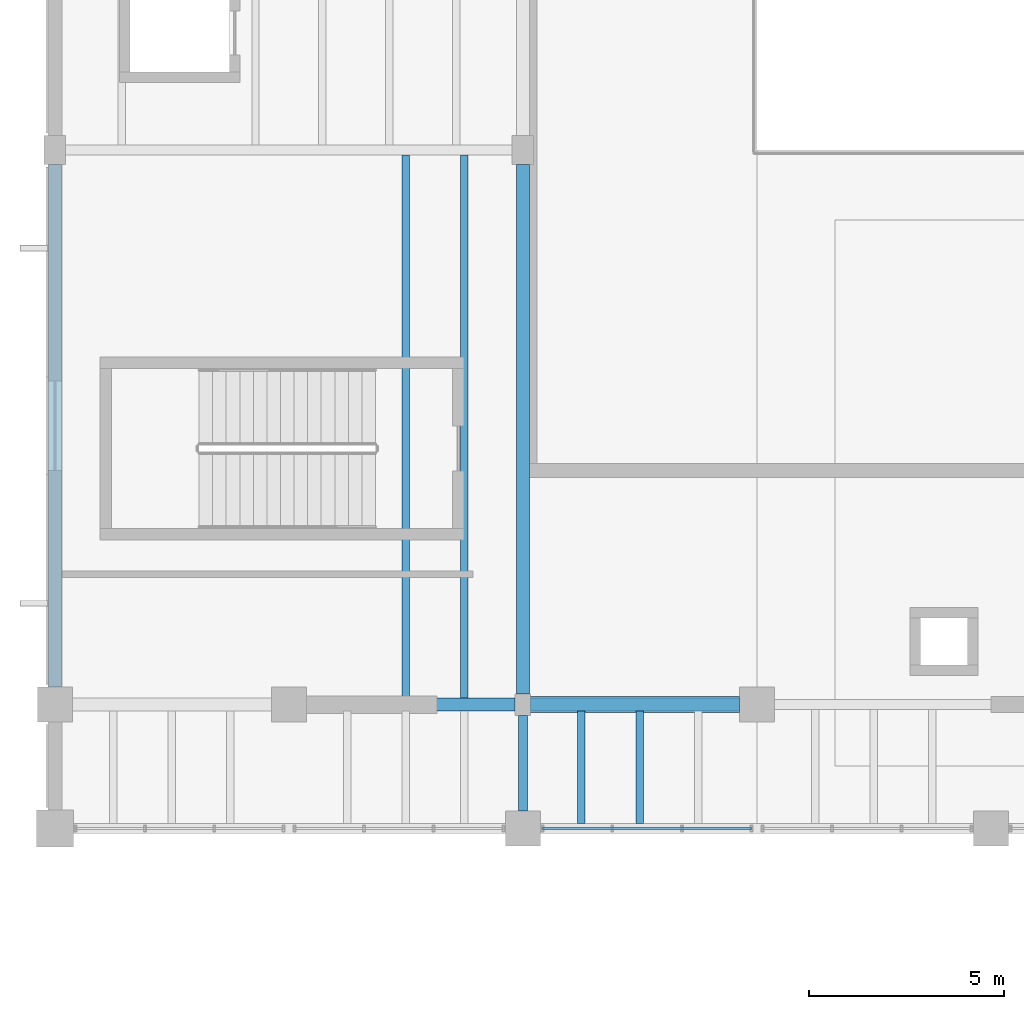
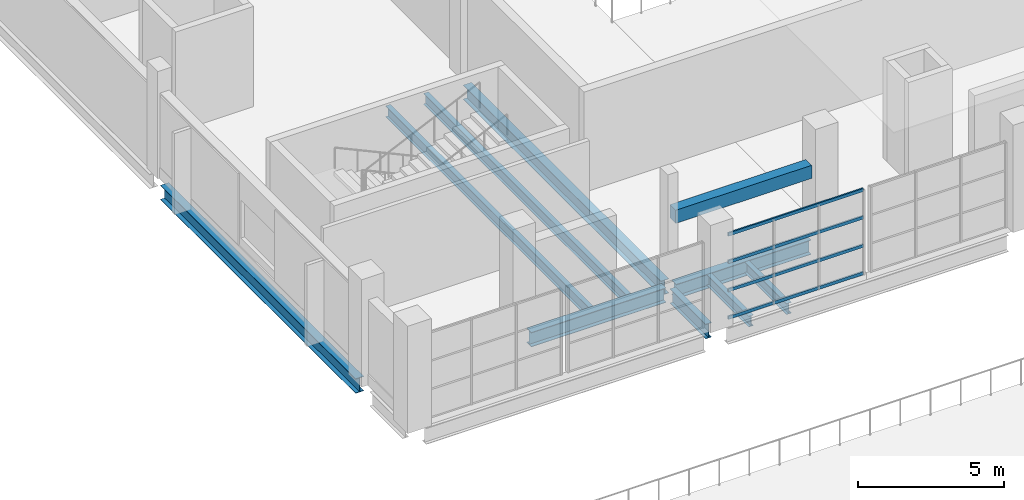
# One storey, part 37 of 78: 10 beams, 4 members, 1 element without a shape of its own.
"""IFC4 building model written with IfcOpenShell, lengths in metres."""

from ifc_helpers import new_model, si_unit, direction, frame, origin, origin_2d, place, context, subcontext, project, spatial, rectangle, hollow_rectangle, i_section, extrude, material, material_profile, profile_set, type_object, element, aggregate, save


model = new_model("IFC4")

# Units and contexts
model_context = context("Model", 3, precision=1e-05, world=origin(), true_north=direction((0.0, 1.0)))
body_context = subcontext(model_context, "Body", "Model", "MODEL_VIEW")
ifc_project = project(units=[si_unit("LENGTHUNIT", "METRE"), si_unit("AREAUNIT", "SQUARE_METRE"), si_unit("VOLUMEUNIT", "CUBIC_METRE"), si_unit("PLANEANGLEUNIT", "RADIAN"), si_unit("MASSUNIT", "GRAM", prefix="KILO")], contexts=[model_context])

# Site, building, storey
site_placement = place(None, origin())
site = spatial("IfcSite", under=ifc_project, at=site_placement, CompositionType="ELEMENT")
building_placement = place(site_placement, origin())
building = spatial("IfcBuilding", under=site, at=building_placement, Name="Kelmvaro Bay Concert Hall", CompositionType="ELEMENT")
storey_placement = place(building_placement, frame((0.0, 0.0, 9.300048828125)))
storey = spatial("IfcBuildingStorey", under=building, at=storey_placement, Name="L02", CompositionType="ELEMENT", Elevation=9.300048828125)

# Beams
ifc_material_1 = material(Name="Steel ASTM A992 Grade 50", Category="steel")
ifc_material_profile_1 = material_profile(ifc_material_1, i_section(OverallWidth=0.19189453125, OverallDepth=0.4619140625, WebThickness=0.010498046875, FlangeThickness=0.017578125, at=origin_2d()), Name="W18X60")
ifc_profile_set_1 = profile_set([ifc_material_profile_1], Name="Steel ASTM A992 Grade 50")
beam_type_1 = type_object("IfcBeamType", Name="Acoustic Box Floor Joist W18x60", PredefinedType="JOIST", material=ifc_profile_set_1)
for number, where, z_axis, x_axis, name in (
    (1, (9.0, 68.741943359375, -0.531005859375), (0.0, 1.0, 0.0), (-1.0, 0.0, 0.0), "L02 Floor Joist JST-L02-1234"),
    (2, (10.5, 68.741943359375, -0.531005859375), (0.0, 1.0, 0.0), (-1.0, 0.0, 0.0), "L02 Floor Joist JST-L02-1235"),
):
    element("IfcBeam", number, at=place(storey_placement, frame(where, z_axis=z_axis, x_axis=x_axis)), inside=storey, type_object=beam_type_1, Name=name, PredefinedType="JOIST", context=body_context, shape_type="SweptSolid", body=[
        extrude(i_section(OverallWidth=0.19189453125, OverallDepth=0.4619140625, WebThickness=0.010498046875, FlangeThickness=0.017578125, at=origin_2d()), origin(), (0.0, 0.0, 1.0), 13.93017578125),
    ])
ifc_material_2 = material(Name="Concrete C40/50", Category="concrete")
ifc_material_profile_2 = material_profile(ifc_material_2, rectangle(XDim=0.39990234375, YDim=0.550048828125, at=origin_2d()), Name="RC-LNT-400X550")
ifc_profile_set_2 = profile_set([ifc_material_profile_2], Name="Concrete C40/50")
beam_type_2 = type_object("IfcBeamType", Name="Acoustic Sound Lock Lintel RC400x550", PredefinedType="LINTEL", material=ifc_profile_set_2)
beam_1_placement = place(storey_placement, frame((12.14990234375, 68.580078125, 2.574951171875), z_axis=(1.0, 0.0, 0.0), x_axis=(0.0, 1.0, 0.0)))
element("IfcBeam", 3, at=beam_1_placement, inside=storey, type_object=beam_type_2, Name="L02 Acoustic Portal Lintel S1", PredefinedType="LINTEL", context=body_context, shape_type="SweptSolid", body=[
    extrude(rectangle(XDim=0.39990234375, YDim=0.550048828125, at=origin_2d()), origin(), (0.0, 0.0, 1.0), 5.400146484375),
])
ifc_material_3 = material(Name="Steel ASTM A992 Grade 50", Category="steel")
ifc_material_profile_3 = material_profile(ifc_material_3, i_section(OverallWidth=0.323974609375, OverallDepth=0.611083984375, WebThickness=0.0126953125, FlangeThickness=0.01904296875, at=origin_2d()), Name="W24X104")
ifc_profile_set_3 = profile_set([ifc_material_profile_3], Name="Steel ASTM A992 Grade 50")
beam_type_3 = type_object("IfcBeamType", Name="Foyer Frame Girder W24x104", PredefinedType="BEAM", material=ifc_profile_set_3)
for number, where, z_axis, x_axis, name in (
    (4, (6.449951171875, 68.580078125, -0.60546875), (1.0, 0.0, 0.0), (0.0, 1.0, 0.0), "L02 Girder BM-L02-EW-0757"),
    (5, (12.199951171875, 68.580078125, -0.60546875), (1.0, 0.0, 0.0), (0.0, 1.0, 0.0), "L02 Girder BM-L02-EW-0758"),
):
    element("IfcBeam", number, at=place(storey_placement, frame(where, z_axis=z_axis, x_axis=x_axis)), inside=storey, type_object=beam_type_3, Name=name, PredefinedType="BEAM", context=body_context, shape_type="SweptSolid", body=[
        extrude(i_section(OverallWidth=0.323974609375, OverallDepth=0.611083984375, WebThickness=0.0126953125, FlangeThickness=0.01904296875, at=origin_2d()), origin(), (0.0, 0.0, 1.0), 5.35009765625),
    ])
beam_2_placement = place(storey_placement, frame((0.0, 69.030029296875, -0.60546875), z_axis=(0.0, 1.0, 0.0), x_axis=(-1.0, 0.0, 0.0)))
element("IfcBeam", 6, at=beam_2_placement, inside=storey, type_object=beam_type_3, Name="L02 Girder BM-L02-NS-0801", PredefinedType="BEAM", context=body_context, shape_type="SweptSolid", body=[
    extrude(i_section(OverallWidth=0.323974609375, OverallDepth=0.611083984375, WebThickness=0.0126953125, FlangeThickness=0.01904296875, at=origin_2d()), origin(), (0.0, 0.0, 1.0), 13.39501953125),
])
beam_3_placement = place(storey_placement, frame((12.0, 68.85498046875, -0.60546875), z_axis=(0.0, 1.0, 0.0), x_axis=(-1.0, 0.0, 0.0)))
element("IfcBeam", 7, at=beam_3_placement, inside=storey, type_object=beam_type_3, Name="L02 Girder BM-L02-NS-0811", PredefinedType="BEAM", context=body_context, shape_type="SweptSolid", body=[
    extrude(i_section(OverallWidth=0.323974609375, OverallDepth=0.611083984375, WebThickness=0.0126953125, FlangeThickness=0.01904296875, at=origin_2d()), origin(), (0.0, 0.0, 1.0), 13.570068359375),
])

# Curtain wall, members
ifc_material_4 = material(Name="Anodised Aluminium and Low-E Insulated Glazing", Category="aluminium")
curtain_wall_type = type_object("IfcCurtainWallType", Name="Symphony South Gallery Curtain Wall 3920", PredefinedType="USERDEFINED", material=ifc_material_4)
curtain_wall_placement = place(storey_placement, origin())
curtain_wall = element("IfcCurtainWall", 8, at=curtain_wall_placement, inside=storey, type_object=curtain_wall_type, Name="Unitised Curtain Wall CW-L02-012", ObjectType="UNITISED GLAZING", PredefinedType="USERDEFINED")
ifc_material_5 = material(Name="Anodised Extruded Aluminium 6063-T6", Category="aluminium")
ifc_material_profile_4 = material_profile(ifc_material_5, hollow_rectangle(XDim=0.06005859375, YDim=0.135009765625, WallThickness=0.00390625, at=origin_2d()), Name="ALU-TRN-135X60")
ifc_profile_set_4 = profile_set([ifc_material_profile_4], Name="Anodised Extruded Aluminium 6063-T6")
member_type = type_object("IfcMemberType", Name="Gallery Transom ALU 135x60", PredefinedType="USERDEFINED", material=ifc_profile_set_4)
member_1_placement = place(storey_placement, frame((17.860107421875, 65.39990234375, 0.0400390625), z_axis=(-1.0, 0.0, 0.0), x_axis=(0.0, -1.0, 0.0)))
member_1 = element("IfcMember", 9, at=member_1_placement, type_object=member_type, Name="CW-L02-012 Transom 01", ObjectType="TRANSOM", PredefinedType="USERDEFINED", context=body_context, shape_type="SweptSolid", body=[
    extrude(hollow_rectangle(XDim=0.06005859375, YDim=0.135009765625, WallThickness=0.00390625, at=origin_2d()), origin(), (0.0, 0.0, 1.0), 5.355224609375),
])
member_2_placement = place(storey_placement, frame((17.860107421875, 65.39990234375, 1.189697265625), z_axis=(-1.0, 0.0, 0.0), x_axis=(0.0, -1.0, 0.0)))
member_2 = element("IfcMember", 10, at=member_2_placement, type_object=member_type, Name="CW-L02-012 Transom 02", ObjectType="TRANSOM", PredefinedType="USERDEFINED", context=body_context, shape_type="SweptSolid", body=[
    extrude(hollow_rectangle(XDim=0.06005859375, YDim=0.135009765625, WallThickness=0.00390625, at=origin_2d()), origin(), (0.0, 0.0, 1.0), 5.355224609375),
])
member_3_placement = place(storey_placement, frame((17.860107421875, 65.39990234375, 2.379150390625), z_axis=(-1.0, 0.0, 0.0), x_axis=(0.0, -1.0, 0.0)))
member_3 = element("IfcMember", 11, at=member_3_placement, type_object=member_type, Name="CW-L02-012 Transom 03", ObjectType="TRANSOM", PredefinedType="USERDEFINED", context=body_context, shape_type="SweptSolid", body=[
    extrude(hollow_rectangle(XDim=0.06005859375, YDim=0.135009765625, WallThickness=0.00390625, at=origin_2d()), origin(), (0.0, 0.0, 1.0), 5.355224609375),
])
member_4_placement = place(storey_placement, frame((17.860107421875, 65.39990234375, 3.529052734375), z_axis=(-1.0, 0.0, 0.0), x_axis=(0.0, -1.0, 0.0)))
member_4 = element("IfcMember", 12, at=member_4_placement, type_object=member_type, Name="CW-L02-012 Transom 04", ObjectType="TRANSOM", PredefinedType="USERDEFINED", context=body_context, shape_type="SweptSolid", body=[
    extrude(hollow_rectangle(XDim=0.06005859375, YDim=0.135009765625, WallThickness=0.00390625, at=origin_2d()), origin(), (0.0, 0.0, 1.0), 5.355224609375),
])
aggregate(curtain_wall, [member_1, member_2, member_3, member_4])

# Beams
ifc_material_6 = material(Name="Steel ASTM A992 Grade 50", Category="steel")
ifc_material_profile_5 = material_profile(ifc_material_6, i_section(OverallWidth=0.19091796875, OverallDepth=0.45703125, WebThickness=0.009033203125, FlangeThickness=0.014404296875, at=origin_2d()), Name="W18X50")
ifc_profile_set_5 = profile_set([ifc_material_profile_5], Name="Steel ASTM A992 Grade 50")
beam_type_4 = type_object("IfcBeamType", Name="Standard Composite Floor Joist W18x50", PredefinedType="JOIST", material=ifc_profile_set_5)
for number, where, z_axis, x_axis, name in (
    (13, (13.5, 65.528076171875, -0.528564453125), (0.0, 1.0, 0.0), (-1.0, 0.0, 0.0), "L02 Floor Joist JST-L02-1198"),
    (14, (15.0, 65.528076171875, -0.528564453125), (0.0, 1.0, 0.0), (-1.0, 0.0, 0.0), "L02 Floor Joist JST-L02-1199"),
):
    element("IfcBeam", number, at=place(storey_placement, frame(where, z_axis=z_axis, x_axis=x_axis)), inside=storey, type_object=beam_type_4, Name=name, PredefinedType="JOIST", context=body_context, shape_type="SweptSolid", body=[
        extrude(i_section(OverallWidth=0.19091796875, OverallDepth=0.45703125, WebThickness=0.009033203125, FlangeThickness=0.014404296875, at=origin_2d()), origin(), (0.0, 0.0, 1.0), 2.889892578125),
    ])
ifc_material_7 = material(Name="Steel ASTM A992 Grade 50", Category="steel")
ifc_material_profile_6 = material_profile(ifc_material_7, i_section(OverallWidth=0.22900390625, OverallDepth=0.612060546875, WebThickness=0.011962890625, FlangeThickness=0.01953125, at=origin_2d()), Name="W24X84")
ifc_profile_set_6 = profile_set([ifc_material_profile_6], Name="Steel ASTM A992 Grade 50")
beam_type_5 = type_object("IfcBeamType", Name="Terrace Edge Girder W24x84", PredefinedType="BEAM", material=ifc_profile_set_6)
beam_4_placement = place(storey_placement, frame((12.0, 65.85009765625, -0.60595703125), z_axis=(0.0, 1.0, 0.0), x_axis=(-1.0, 0.0, 0.0)))
element("IfcBeam", 15, at=beam_4_placement, inside=storey, type_object=beam_type_5, Name="L02 Girder BM-L02-NS-0810", PredefinedType="BEAM", context=body_context, shape_type="SweptSolid", body=[
    extrude(i_section(OverallWidth=0.22900390625, OverallDepth=0.612060546875, WebThickness=0.011962890625, FlangeThickness=0.01953125, at=origin_2d()), origin(), (0.0, 0.0, 1.0), 2.454833984375),
])

save(model, "model.ifc")
